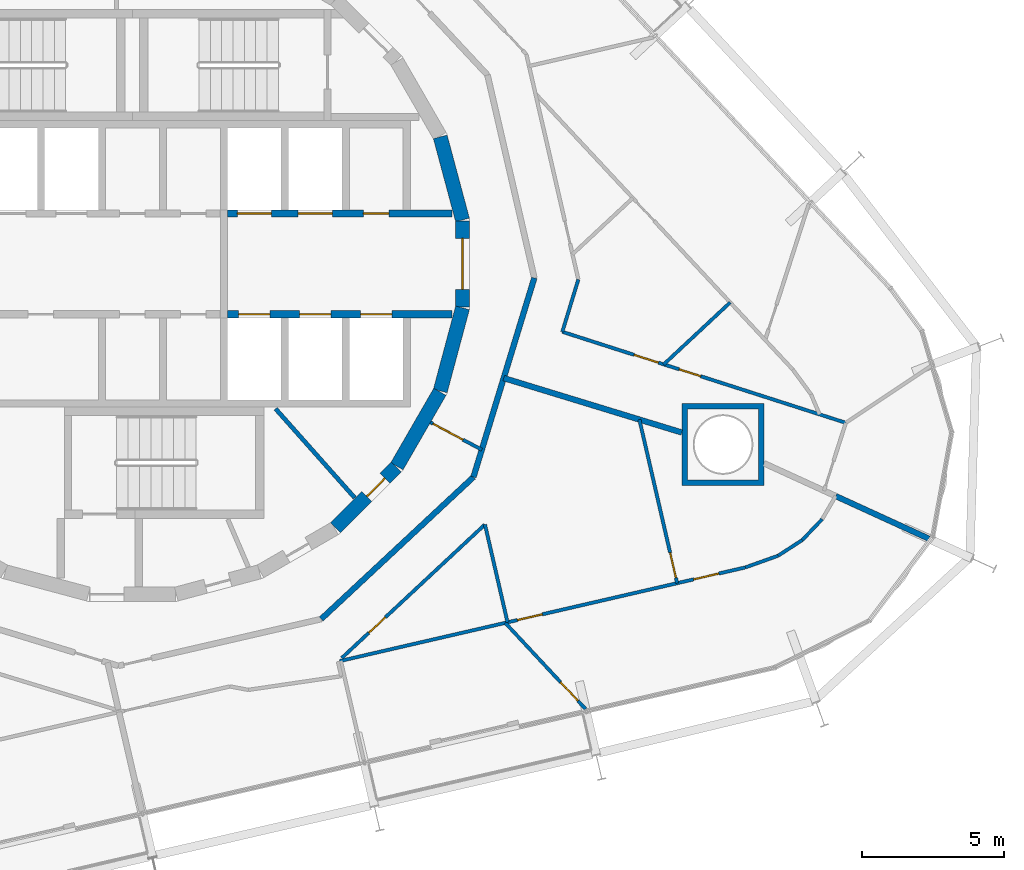
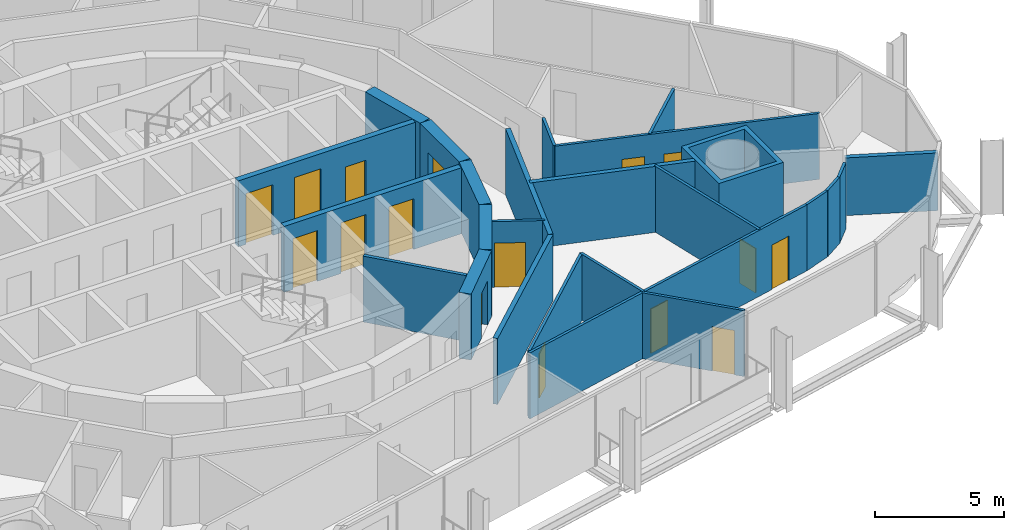
# One storey, part 14 of 18: 25 walls, 16 doors, 16 openings.
"""IFC4 building model written with IfcOpenShell, lengths in metres."""

from ifc_helpers import new_model, si_unit, direction, frame, frame_2d, origin, place, context, subcontext, project, spatial, polyline, rectangle, outline, extrude, material, layer, layer_set, type_object, element, fill, save


model = new_model("IFC4")

# Units and contexts
model_context = context("Model", 3, precision=1e-05, world=origin(), true_north=direction((0.0, 1.0)))
body_context = subcontext(model_context, "Body", "Model", "MODEL_VIEW")
ifc_project = project(units=[si_unit("LENGTHUNIT", "METRE"), si_unit("AREAUNIT", "SQUARE_METRE"), si_unit("VOLUMEUNIT", "CUBIC_METRE"), si_unit("PLANEANGLEUNIT", "RADIAN"), si_unit("MASSUNIT", "GRAM", prefix="KILO")], contexts=[model_context])

# Site, building, storey
site_placement = place(None, origin())
site = spatial("IfcSite", under=ifc_project, at=site_placement, CompositionType="ELEMENT")
building_placement = place(site_placement, origin())
building = spatial("IfcBuilding", under=site, at=building_placement, Name="Spindle Arch Residences", CompositionType="ELEMENT")
storey_placement = place(building_placement, frame((0.0, 0.0, 120.39990234375)))
storey = spatial("IfcBuildingStorey", under=building, at=storey_placement, Name="L29", CompositionType="ELEMENT", Elevation=120.39990234375)

# Wall, opening, door
ifc_material_1 = material(Name="Concrete C50/60", Category="concrete")
ifc_layer_1 = layer(ifc_material_1, 0.5)
ifc_layer_set_1 = layer_set([ifc_layer_1], Name="Core outline wall 500")
wall_type_1 = type_object("IfcWallType", Name="Core outline wall 500", PredefinedType="SHEAR", material=ifc_layer_set_1)
wall_1_placement = place(storey_placement, frame((7.163818359375, -9.30810546875, 0.0), z_axis=(0.0, 0.0, 1.0), x_axis=(0.707106781187, 0.707106781187, 0.0)))
wall_1 = element("IfcWall", 1, at=wall_1_placement, inside=storey, type_object=wall_type_1, Name="Core outline wall 3", PredefinedType="SHEAR", context=body_context, shape_type="SweptSolid", body=[
    extrude(rectangle(XDim=3.032470703125, YDim=0.5, at=frame_2d((1.51611328125, 0.0))), origin(), (0.0, 0.0, 1.0), 3.1201171875),
])
opening_1_placement = place(wall_1_placement, frame((1.56640625, 0.0, 0.0)))
opening_1 = element("IfcOpeningElement", 2, at=opening_1_placement, cuts=wall_1, Name="Opening R3A0-WD08", PredefinedType="OPENING", context=body_context, shape_type="SweptSolid", body=[
    extrude(rectangle(XDim=0.89990234375, YDim=2.10009765625, at=frame_2d((0.449951171875, 1.050048828125))), frame((0.0, 0.260009765625, 0.0), z_axis=(0.0, -1.0, 0.0), x_axis=(1.0, 0.0, 0.0)), (0.0, 0.0, 1.0), 0.52001953125),
])
ifc_material_2 = material(Name="Steel, fire-resisting door", Category="steel")
door_type_1 = type_object("IfcDoorType", Name="Service room door 900x2100", OperationType="SINGLE_SWING_LEFT", PredefinedType="DOOR", material=ifc_material_2)
door_1_placement = place(opening_1_placement, origin())
door_1 = element("IfcDoor", 3, at=door_1_placement, inside=storey, type_object=door_type_1, Name="Service room door R3A0-WD08", OperationType="SINGLE_SWING_LEFT", OverallHeight=2.10009765625, OverallWidth=0.89990234375, PredefinedType="DOOR", context=body_context, shape_type="SweptSolid", body=[
    extrude(rectangle(XDim=0.89990234375, YDim=2.10009765625, at=frame_2d((0.449951171875, 1.050048828125))), frame((0.0, 0.02490234375, 0.0), z_axis=(0.0, -1.0, 0.0), x_axis=(1.0, 0.0, 0.0)), (0.0, 0.0, 1.0), 0.050048828125),
])
fill(opening_1, door_1)

# Walls
for number, where, z_axis, x_axis, name in (
    (4, (9.32861328125, -7.13671875, 0.0), (0.0, 0.0, 1.0), (0.500087131594, 0.865975092491, 0.0), "Core outline wall 4"),
    (5, (10.858154296875, -4.479248046875, 0.0), (0.0, 0.0, 1.0), (0.258734743916, 0.965948410781, 0.0), "Core outline wall 5"),
):
    element("IfcWall", number, at=place(storey_placement, frame(where, z_axis=z_axis, x_axis=x_axis)), inside=storey, type_object=wall_type_1, Name=name, PredefinedType="SHEAR", context=body_context, shape_type="SweptSolid", body=[
        extrude(rectangle(XDim=3.03271484375, YDim=0.5, at=frame_2d((1.516357421875, 0.0))), origin(), (0.0, 0.0, 1.0), 3.1201171875),
    ])

# Wall, opening, door
wall_2_placement = place(storey_placement, frame((11.647216796875, -1.516357421875, 0.0), z_axis=(0.0, 0.0, 1.0), x_axis=(0.0, 1.0, 0.0)))
wall_2 = element("IfcWall", 6, at=wall_2_placement, inside=storey, type_object=wall_type_1, Name="Core outline wall 6", PredefinedType="SHEAR", context=body_context, shape_type="SweptSolid", body=[
    extrude(rectangle(XDim=3.03271484375, YDim=0.5, at=frame_2d((1.516357421875, 0.0))), origin(), (0.0, 0.0, 1.0), 3.1201171875),
])
opening_2_placement = place(wall_2_placement, frame((0.6162109375, 0.0, 0.0)))
opening_2 = element("IfcOpeningElement", 7, at=opening_2_placement, cuts=wall_2, Name="Opening R3A0-FE01", PredefinedType="OPENING", context=body_context, shape_type="SweptSolid", body=[
    extrude(rectangle(XDim=1.800048828125, YDim=2.10009765625, at=frame_2d((0.89990234375, 1.050048828125))), frame((0.0, 0.260009765625, 0.0), z_axis=(0.0, -1.0, 0.0), x_axis=(1.0, 0.0, 0.0)), (0.0, 0.0, 1.0), 0.52001953125),
])
ifc_material_3 = material(Name="Steel, fire-resisting door", Category="steel")
door_type_2 = type_object("IfcDoorType", Name="Fire-lift lobby door 1800x2100", OperationType="DOUBLE_DOOR_SINGLE_SWING", PredefinedType="DOOR", material=ifc_material_3)
door_2_placement = place(opening_2_placement, origin())
door_2 = element("IfcDoor", 8, at=door_2_placement, inside=storey, type_object=door_type_2, Name="Fire-lift lobby door R3A0-FE01", OperationType="DOUBLE_DOOR_SINGLE_SWING", OverallHeight=2.10009765625, OverallWidth=1.800048828125, PredefinedType="DOOR", context=body_context, shape_type="SweptSolid", body=[
    extrude(rectangle(XDim=1.800048828125, YDim=2.10009765625, at=frame_2d((0.89990234375, 1.050048828125))), frame((0.0, 0.02490234375, 0.0), z_axis=(0.0, -1.0, 0.0), x_axis=(1.0, 0.0, 0.0)), (0.0, 0.0, 1.0), 0.050048828125),
])
fill(opening_2, door_2)

# Wall
wall_3_placement = place(storey_placement, frame((11.642822265625, 1.5498046875, 0.0), z_axis=(0.0, 0.0, 1.0), x_axis=(-0.258734743916, 0.965948410781, 0.0)))
element("IfcWall", 9, at=wall_3_placement, inside=storey, type_object=wall_type_1, Name="Core outline wall 7", PredefinedType="SHEAR", context=body_context, shape_type="SweptSolid", body=[
    extrude(rectangle(XDim=3.03271484375, YDim=0.5, at=frame_2d((1.516357421875, 0.0))), origin(), (0.0, 0.0, 1.0), 3.1201171875),
])

# Wall, opening, door
ifc_material_4 = material(Name="Plasterboard on steel studs", Category="steel")
ifc_layer_2 = layer(ifc_material_4, 0.1201171875)
ifc_layer_set_2 = layer_set([ifc_layer_2], Name="Corridor division wall 120")
wall_type_2 = type_object("IfcWallType", Name="Corridor division wall 120", PredefinedType="PARTITIONING", material=ifc_layer_set_2)
wall_4_placement = place(storey_placement, frame((10.510986328125, -5.5888671875, 0.0), z_axis=(0.0, 0.0, 1.0), x_axis=(0.882987820808, -0.469395897196, 0.0)))
wall_4 = element("IfcWall", 10, at=wall_4_placement, inside=storey, type_object=wall_type_2, Name="Corridor division wall R3A0-W002", PredefinedType="PARTITIONING", context=body_context, shape_type="SweptSolid", body=[
    extrude(rectangle(XDim=2.0517578125, YDim=0.1201171875, at=frame_2d((1.02587890625, 0.0))), origin(), (0.0, 0.0, 1.0), 3.1201171875),
])
opening_3_placement = place(wall_4_placement, frame((0.10009765625, 0.0, 0.0)))
opening_3 = element("IfcOpeningElement", 11, at=opening_3_placement, cuts=wall_4, Name="Opening R3A0-CD02", PredefinedType="OPENING", context=body_context, shape_type="SweptSolid", body=[
    extrude(rectangle(XDim=1.199951171875, YDim=2.10009765625, at=frame_2d((0.60009765625, 1.050048828125))), frame((0.0, 0.070068359375, 0.0), z_axis=(0.0, -1.0, 0.0), x_axis=(1.0, 0.0, 0.0)), (0.0, 0.0, 1.0), 0.14013671875),
])
ifc_material_5 = material(Name="Steel, fire-resisting door", Category="steel")
door_type_3 = type_object("IfcDoorType", Name="Corridor division door 1200x2100", OperationType="NOTDEFINED", PredefinedType="DOOR", material=ifc_material_5)
door_3_placement = place(opening_3_placement, origin())
door_3 = element("IfcDoor", 12, at=door_3_placement, inside=storey, type_object=door_type_3, Name="Corridor division door R3A0-CD02", OperationType="DOUBLE_DOOR_SINGLE_SWING", OverallHeight=2.10009765625, OverallWidth=1.199951171875, PredefinedType="DOOR", context=body_context, shape_type="SweptSolid", body=[
    extrude(rectangle(XDim=1.199951171875, YDim=2.10009765625, at=frame_2d((0.60009765625, 1.050048828125))), frame((0.0, 0.02490234375, 0.0), z_axis=(0.0, -1.0, 0.0), x_axis=(1.0, 0.0, 0.0)), (0.0, 0.0, 1.0), 0.050048828125),
])
fill(opening_3, door_3)

# Walls
ifc_material_6 = material(Name="Calcium silicate block, plastered")
ifc_layer_3 = layer(ifc_material_6, 0.199951171875)
ifc_layer_set_3 = layer_set([ifc_layer_3], Name="Corridor wall 200")
wall_type_3 = type_object("IfcWallType", Name="Corridor wall 200", PredefinedType="STANDARD", material=ifc_layer_set_3)
for number, where, z_axis, x_axis, name in (
    (13, (12.028076171875, -7.51611328125, 0.0), (0.0, 0.0, 1.0), (0.292365533182, 0.956306642771, 0.0), "Corridor wall R3A0-W004"),
    (14, (6.65869140625, -12.523193359375, 0.0), (0.0, 0.0, 1.0), (0.731350455479, 0.682001841105, 0.0), "Corridor wall R3A0-W015"),
):
    element("IfcWall", number, at=place(storey_placement, frame(where, z_axis=z_axis, x_axis=x_axis)), inside=storey, type_object=wall_type_3, Name=name, PredefinedType="STANDARD", context=body_context, shape_type="SweptSolid", body=[
        extrude(rectangle(XDim=7.341796875, YDim=0.199951171875, at=frame_2d((3.6708984375, 0.0))), origin(), (0.0, 0.0, 1.0), 3.1201171875),
    ])

# Wall, openings, doors
ifc_material_7 = material(Name="Concrete C40/50", Category="concrete")
ifc_layer_4 = layer(ifc_material_7, 0.25)
ifc_layer_set_4 = layer_set([ifc_layer_4], Name="Fire-lift lobby wall 250")
wall_type_4 = type_object("IfcWallType", Name="Fire-lift lobby wall 250", PredefinedType="SHEAR", material=ifc_layer_set_4)
wall_5_placement = place(storey_placement, frame((3.35009765625, 1.77490234375, 0.0), z_axis=(0.0, 0.0, 1.0), x_axis=(1.0, 0.0, 0.0)))
wall_5 = element("IfcWall", 15, at=wall_5_placement, inside=storey, type_object=wall_type_4, Name="Lift shaft front wall NE", PredefinedType="SHEAR", context=body_context, shape_type="SweptSolid", body=[
    extrude(rectangle(XDim=7.929931640625, YDim=0.25, at=frame_2d((3.96484375, 0.0))), origin(), (0.0, 0.0, 1.0), 3.1201171875),
])
opening_4_placement = place(wall_5_placement, frame((0.35009765625, 0.0, 0.0)))
opening_4 = element("IfcOpeningElement", 16, at=opening_4_placement, cuts=wall_5, Name="Opening R3A0-SLD01", PredefinedType="OPENING", context=body_context, shape_type="SweptSolid", body=[
    extrude(rectangle(XDim=1.199951171875, YDim=2.39990234375, at=frame_2d((0.60009765625, 1.199951171875))), frame((0.0, 0.135009765625, 0.0), z_axis=(0.0, -1.0, 0.0), x_axis=(1.0, 0.0, 0.0)), (0.0, 0.0, 1.0), 0.27001953125),
])
opening_5_placement = place(wall_5_placement, frame((2.5, 0.0, 0.0)))
opening_5 = element("IfcOpeningElement", 17, at=opening_5_placement, cuts=wall_5, Name="Opening R3A0-SLD02", PredefinedType="OPENING", context=body_context, shape_type="SweptSolid", body=[
    extrude(rectangle(XDim=1.199951171875, YDim=2.39990234375, at=frame_2d((0.60009765625, 1.199951171875))), frame((0.0, 0.135009765625, 0.0), z_axis=(0.0, -1.0, 0.0), x_axis=(1.0, 0.0, 0.0)), (0.0, 0.0, 1.0), 0.27001953125),
])
opening_6_placement = place(wall_5_placement, frame((4.800048828125, 0.0, 0.0)))
opening_6 = element("IfcOpeningElement", 18, at=opening_6_placement, cuts=wall_5, Name="Opening R3A0-WD03", PredefinedType="OPENING", context=body_context, shape_type="SweptSolid", body=[
    extrude(rectangle(XDim=0.89990234375, YDim=2.10009765625, at=frame_2d((0.449951171875, 1.050048828125))), frame((0.0, 0.135009765625, 0.0), z_axis=(0.0, -1.0, 0.0), x_axis=(1.0, 0.0, 0.0)), (0.0, 0.0, 1.0), 0.27001953125),
])
ifc_material_8 = material(Name="Steel, fire-resisting landing door", Category="steel")
door_type_4 = type_object("IfcDoorType", Name="Service lift landing door 1200x2400", OperationType="DOUBLE_DOOR_SLIDING", PredefinedType="DOOR", material=ifc_material_8)
door_4_placement = place(opening_4_placement, origin())
door_4 = element("IfcDoor", 19, at=door_4_placement, inside=storey, type_object=door_type_4, Name="Service lift landing door R3A0-SLD01", OperationType="DOUBLE_DOOR_SLIDING", OverallHeight=2.39990234375, OverallWidth=1.199951171875, PredefinedType="DOOR", context=body_context, shape_type="SweptSolid", body=[
    extrude(rectangle(XDim=1.199951171875, YDim=2.39990234375, at=frame_2d((0.60009765625, 1.199951171875))), frame((0.0, 0.02490234375, 0.0), z_axis=(0.0, -1.0, 0.0), x_axis=(1.0, 0.0, 0.0)), (0.0, 0.0, 1.0), 0.050048828125),
])
fill(opening_4, door_4)
door_5_placement = place(opening_5_placement, origin())
door_5 = element("IfcDoor", 20, at=door_5_placement, inside=storey, type_object=door_type_4, Name="Service lift landing door R3A0-SLD02", OperationType="DOUBLE_DOOR_SLIDING", OverallHeight=2.39990234375, OverallWidth=1.199951171875, PredefinedType="DOOR", context=body_context, shape_type="SweptSolid", body=[
    extrude(rectangle(XDim=1.199951171875, YDim=2.39990234375, at=frame_2d((0.60009765625, 1.199951171875))), frame((0.0, 0.02490234375, 0.0), z_axis=(0.0, -1.0, 0.0), x_axis=(1.0, 0.0, 0.0)), (0.0, 0.0, 1.0), 0.050048828125),
])
fill(opening_5, door_5)
door_6_placement = place(opening_6_placement, origin())
door_6 = element("IfcDoor", 21, at=door_6_placement, inside=storey, type_object=door_type_1, Name="Service room door R3A0-WD03", OperationType="SINGLE_SWING_RIGHT", OverallHeight=2.10009765625, OverallWidth=0.89990234375, PredefinedType="DOOR", context=body_context, shape_type="SweptSolid", body=[
    extrude(rectangle(XDim=0.89990234375, YDim=2.10009765625, at=frame_2d((0.449951171875, 1.050048828125))), frame((0.0, 0.02490234375, 0.0), z_axis=(0.0, -1.0, 0.0), x_axis=(1.0, 0.0, 0.0)), (0.0, 0.0, 1.0), 0.050048828125),
])
fill(opening_6, door_6)

ifc_material_9 = material(Name="Concrete C50/60", Category="concrete")
ifc_layer_5 = layer(ifc_material_9, 0.25)
ifc_layer_set_5 = layer_set([ifc_layer_5], Name="Fire-lift shaft wall 250")
wall_type_5 = type_object("IfcWallType", Name="Fire-lift shaft wall 250", PredefinedType="SHEAR", material=ifc_layer_set_5)
wall_6_placement = place(storey_placement, frame((3.35009765625, -1.77490234375, 0.0), z_axis=(0.0, 0.0, 1.0), x_axis=(1.0, 0.0, 0.0)))
wall_6 = element("IfcWall", 22, at=wall_6_placement, inside=storey, type_object=wall_type_5, Name="Lift shaft front wall SE", PredefinedType="SHEAR", context=body_context, shape_type="SweptSolid", body=[
    extrude(rectangle(XDim=7.929931640625, YDim=0.25, at=frame_2d((3.96484375, 0.0))), origin(), (0.0, 0.0, 1.0), 3.1201171875),
])
opening_7_placement = place(wall_6_placement, frame((0.39990234375, 0.0, 0.0)))
opening_7 = element("IfcOpeningElement", 23, at=opening_7_placement, cuts=wall_6, Name="Opening R3A0-FLD01", PredefinedType="OPENING", context=body_context, shape_type="SweptSolid", body=[
    extrude(rectangle(XDim=1.10009765625, YDim=2.39990234375, at=frame_2d((0.550048828125, 1.199951171875))), frame((0.0, 0.135009765625, 0.0), z_axis=(0.0, -1.0, 0.0), x_axis=(1.0, 0.0, 0.0)), (0.0, 0.0, 1.0), 0.27001953125),
])
opening_8_placement = place(wall_6_placement, frame((2.550048828125, 0.0, 0.0)))
opening_8 = element("IfcOpeningElement", 24, at=opening_8_placement, cuts=wall_6, Name="Opening R3A0-FLD02", PredefinedType="OPENING", context=body_context, shape_type="SweptSolid", body=[
    extrude(rectangle(XDim=1.10009765625, YDim=2.39990234375, at=frame_2d((0.550048828125, 1.199951171875))), frame((0.0, 0.135009765625, 0.0), z_axis=(0.0, -1.0, 0.0), x_axis=(1.0, 0.0, 0.0)), (0.0, 0.0, 1.0), 0.27001953125),
])
opening_9_placement = place(wall_6_placement, frame((4.699951171875, 0.0, 0.0)))
opening_9 = element("IfcOpeningElement", 25, at=opening_9_placement, cuts=wall_6, Name="Opening R3A0-FLD03", PredefinedType="OPENING", context=body_context, shape_type="SweptSolid", body=[
    extrude(rectangle(XDim=1.10009765625, YDim=2.39990234375, at=frame_2d((0.550048828125, 1.199951171875))), frame((0.0, 0.135009765625, 0.0), z_axis=(0.0, -1.0, 0.0), x_axis=(1.0, 0.0, 0.0)), (0.0, 0.0, 1.0), 0.27001953125),
])
ifc_material_10 = material(Name="Steel, fire-resisting landing door", Category="steel")
door_type_5 = type_object("IfcDoorType", Name="Fire-fighting lift landing door 1100x2400", OperationType="DOUBLE_DOOR_SLIDING", PredefinedType="DOOR", material=ifc_material_10)
door_7_placement = place(opening_7_placement, origin())
door_7 = element("IfcDoor", 26, at=door_7_placement, inside=storey, type_object=door_type_5, Name="Fire-fighting lift landing door R3A0-FLD01", OperationType="DOUBLE_DOOR_SLIDING", OverallHeight=2.39990234375, OverallWidth=1.10009765625, PredefinedType="DOOR", context=body_context, shape_type="SweptSolid", body=[
    extrude(rectangle(XDim=1.10009765625, YDim=2.39990234375, at=frame_2d((0.550048828125, 1.199951171875))), frame((0.0, 0.02490234375, 0.0), z_axis=(0.0, -1.0, 0.0), x_axis=(1.0, 0.0, 0.0)), (0.0, 0.0, 1.0), 0.050048828125),
])
fill(opening_7, door_7)
door_8_placement = place(opening_8_placement, origin())
door_8 = element("IfcDoor", 27, at=door_8_placement, inside=storey, type_object=door_type_5, Name="Fire-fighting lift landing door R3A0-FLD02", OperationType="DOUBLE_DOOR_SLIDING", OverallHeight=2.39990234375, OverallWidth=1.10009765625, PredefinedType="DOOR", context=body_context, shape_type="SweptSolid", body=[
    extrude(rectangle(XDim=1.10009765625, YDim=2.39990234375, at=frame_2d((0.550048828125, 1.199951171875))), frame((0.0, 0.02490234375, 0.0), z_axis=(0.0, -1.0, 0.0), x_axis=(1.0, 0.0, 0.0)), (0.0, 0.0, 1.0), 0.050048828125),
])
fill(opening_8, door_8)
door_9_placement = place(opening_9_placement, origin())
door_9 = element("IfcDoor", 28, at=door_9_placement, inside=storey, type_object=door_type_5, Name="Fire-fighting lift landing door R3A0-FLD03", OperationType="DOUBLE_DOOR_SLIDING", OverallHeight=2.39990234375, OverallWidth=1.10009765625, PredefinedType="DOOR", context=body_context, shape_type="SweptSolid", body=[
    extrude(rectangle(XDim=1.10009765625, YDim=2.39990234375, at=frame_2d((0.550048828125, 1.199951171875))), frame((0.0, 0.02490234375, 0.0), z_axis=(0.0, -1.0, 0.0), x_axis=(1.0, 0.0, 0.0)), (0.0, 0.0, 1.0), 0.050048828125),
])
fill(opening_9, door_9)

ifc_material_11 = material(Name="Plasterboard on steel studs", Category="steel")
ifc_layer_6 = layer(ifc_material_11, 0.1201171875)
ifc_layer_set_6 = layer_set([ifc_layer_6], Name="Flat partition 120")
wall_type_6 = type_object("IfcWallType", Name="Flat partition 120", PredefinedType="PARTITIONING", material=ifc_layer_set_6)
wall_7_placement = place(storey_placement, frame((25.15771484375, -5.60302734375, 0.0), z_axis=(0.0, 0.0, 1.0), x_axis=(-0.952147783118, 0.305638019729, 0.0)))
wall_7 = element("IfcWall", 29, at=wall_7_placement, inside=storey, type_object=wall_type_6, Name="Flat partition R3A0-W033", PredefinedType="PARTITIONING", context=body_context, shape_type="SweptSolid", body=[
    extrude(rectangle(XDim=10.497802734375, YDim=0.1201171875, at=frame_2d((5.2490234375, 0.0))), origin(), (0.0, 0.0, 1.0), 3.1201171875),
])
opening_10_placement = place(wall_7_placement, frame((5.373046875, 0.0, 0.0)))
opening_10 = element("IfcOpeningElement", 30, at=opening_10_placement, cuts=wall_7, Name="Opening R3A0-BD02", PredefinedType="OPENING", context=body_context, shape_type="SweptSolid", body=[
    extrude(rectangle(XDim=0.800048828125, YDim=2.10009765625, at=frame_2d((0.39990234375, 1.050048828125))), frame((0.0, 0.070068359375, 0.0), z_axis=(0.0, -1.0, 0.0), x_axis=(1.0, 0.0, 0.0)), (0.0, 0.0, 1.0), 0.14013671875),
])
opening_11_placement = place(wall_7_placement, frame((6.941162109375, 0.0, 0.0)))
opening_11 = element("IfcOpeningElement", 31, at=opening_11_placement, cuts=wall_7, Name="Opening R3A0-ID03", PredefinedType="OPENING", context=body_context, shape_type="SweptSolid", body=[
    extrude(rectangle(XDim=0.89990234375, YDim=2.10009765625, at=frame_2d((0.449951171875, 1.050048828125))), frame((0.0, 0.070068359375, 0.0), z_axis=(0.0, -1.0, 0.0), x_axis=(1.0, 0.0, 0.0)), (0.0, 0.0, 1.0), 0.14013671875),
])
ifc_material_12 = material(Name="Timber door set", Category="wood")
door_type_6 = type_object("IfcDoorType", Name="Bathroom door 800x2100", OperationType="NOTDEFINED", PredefinedType="DOOR", material=ifc_material_12)
door_10_placement = place(opening_10_placement, origin())
door_10 = element("IfcDoor", 32, at=door_10_placement, inside=storey, type_object=door_type_6, Name="Bathroom door R3A0-BD02", OperationType="SINGLE_SWING_LEFT", OverallHeight=2.10009765625, OverallWidth=0.800048828125, PredefinedType="DOOR", context=body_context, shape_type="SweptSolid", body=[
    extrude(rectangle(XDim=0.800048828125, YDim=2.10009765625, at=frame_2d((0.39990234375, 1.050048828125))), frame((0.0, 0.02490234375, 0.0), z_axis=(0.0, -1.0, 0.0), x_axis=(1.0, 0.0, 0.0)), (0.0, 0.0, 1.0), 0.050048828125),
])
fill(opening_10, door_10)
ifc_material_13 = material(Name="Timber door set", Category="wood")
door_type_7 = type_object("IfcDoorType", Name="Room door 900x2100", OperationType="NOTDEFINED", PredefinedType="DOOR", material=ifc_material_13)
door_11_placement = place(opening_11_placement, origin())
door_11 = element("IfcDoor", 33, at=door_11_placement, inside=storey, type_object=door_type_7, Name="Room door R3A0-ID03", OperationType="SINGLE_SWING_LEFT", OverallHeight=2.10009765625, OverallWidth=0.89990234375, PredefinedType="DOOR", context=body_context, shape_type="SweptSolid", body=[
    extrude(rectangle(XDim=0.89990234375, YDim=2.10009765625, at=frame_2d((0.449951171875, 1.050048828125))), frame((0.0, 0.02490234375, 0.0), z_axis=(0.0, -1.0, 0.0), x_axis=(1.0, 0.0, 0.0)), (0.0, 0.0, 1.0), 0.050048828125),
])
fill(opening_11, door_11)

# Walls
wall_8_placement = place(storey_placement, frame((15.162353515625, -2.39453125, 0.0), z_axis=(0.0, 0.0, 1.0), x_axis=(0.292404972776, 0.956294584266, 0.0)))
element("IfcWall", 34, at=wall_8_placement, inside=storey, type_object=wall_type_6, Name="Flat partition R3A0-W034", PredefinedType="PARTITIONING", context=body_context, shape_type="SweptSolid", body=[
    extrude(rectangle(XDim=1.929443359375, YDim=0.1201171875, at=frame_2d((0.96484375, 0.0))), origin(), (0.0, 0.0, 1.0), 3.1201171875),
])
wall_9_placement = place(storey_placement, frame((21.080810546875, -1.35888671875, 0.0), z_axis=(0.0, 0.0, 1.0), x_axis=(-0.731341711004, -0.682011218196, 0.0)))
element("IfcWall", 35, at=wall_9_placement, inside=storey, type_object=wall_type_6, Name="Flat partition R3A0-W043", PredefinedType="PARTITIONING", context=body_context, shape_type="SweptSolid", body=[
    extrude(rectangle(XDim=3.2021484375, YDim=0.1201171875, at=frame_2d((1.60107421875, 0.0))), origin(), (0.0, 0.0, 1.0), 3.1201171875),
])

# Wall, opening, door
wall_10_placement = place(storey_placement, frame((7.3876953125, -13.894287109375, 0.0), z_axis=(0.0, 0.0, 1.0), x_axis=(0.731339966659, 0.682013088707, 0.0)))
wall_10 = element("IfcWall", 36, at=wall_10_placement, inside=storey, type_object=wall_type_6, Name="Flat partition R3A0-W106", PredefinedType="PARTITIONING", context=body_context, shape_type="SweptSolid", body=[
    extrude(rectangle(XDim=6.8994140625, YDim=0.1201171875, at=frame_2d((3.44970703125, 0.0))), origin(), (0.0, 0.0, 1.0), 3.1201171875),
])
opening_12_placement = place(wall_10_placement, frame((1.300048828125, 0.0, 0.0)))
opening_12 = element("IfcOpeningElement", 37, at=opening_12_placement, cuts=wall_10, Name="Opening R3A0-BD07", PredefinedType="OPENING", context=body_context, shape_type="SweptSolid", body=[
    extrude(rectangle(XDim=0.800048828125, YDim=2.10009765625, at=frame_2d((0.39990234375, 1.050048828125))), frame((0.0, 0.070068359375, 0.0), z_axis=(0.0, -1.0, 0.0), x_axis=(1.0, 0.0, 0.0)), (0.0, 0.0, 1.0), 0.14013671875),
])
door_12_placement = place(opening_12_placement, origin())
door_12 = element("IfcDoor", 38, at=door_12_placement, inside=storey, type_object=door_type_6, Name="Bathroom door R3A0-BD07", OperationType="SINGLE_SWING_RIGHT", OverallHeight=2.10009765625, OverallWidth=0.800048828125, PredefinedType="DOOR", context=body_context, shape_type="SweptSolid", body=[
    extrude(rectangle(XDim=0.800048828125, YDim=2.10009765625, at=frame_2d((0.39990234375, 1.050048828125))), frame((0.0, 0.02490234375, 0.0), z_axis=(0.0, -1.0, 0.0), x_axis=(1.0, 0.0, 0.0)), (0.0, 0.0, 1.0), 0.050048828125),
])
fill(opening_12, door_12)

# Wall
wall_11_placement = place(storey_placement, frame((12.43359375, -9.188720703125, 0.0), z_axis=(0.0, 0.0, 1.0), x_axis=(0.224924972887, -0.974376085796, 0.0)))
element("IfcWall", 39, at=wall_11_placement, inside=storey, type_object=wall_type_6, Name="Flat partition R3A0-W107", PredefinedType="PARTITIONING", context=body_context, shape_type="SweptSolid", body=[
    extrude(rectangle(XDim=3.540771484375, YDim=0.1201171875, at=frame_2d((1.7705078125, 0.0))), origin(), (0.0, 0.0, 1.0), 3.1201171875),
])

# Wall, openings, doors
wall_12_placement = place(storey_placement, frame((7.3125, -14.0048828125, 0.0), z_axis=(0.0, 0.0, 1.0), x_axis=(0.974367924791, 0.224960323474, 0.0)))
wall_12 = element("IfcWall", 40, at=wall_12_placement, inside=storey, type_object=wall_type_6, Name="Flat partition R3A0-W108", PredefinedType="PARTITIONING", context=body_context, shape_type="SweptSolid", body=[
    extrude(rectangle(XDim=14.67919921875, YDim=0.1201171875, at=frame_2d((7.339599609375, 0.0))), origin(), (0.0, 0.0, 1.0), 3.1201171875),
])
opening_13_placement = place(wall_12_placement, frame((6.433349609375, 0.0, 0.0)))
opening_13 = element("IfcOpeningElement", 41, at=opening_13_placement, cuts=wall_12, Name="Opening R3A0-ID28", PredefinedType="OPENING", context=body_context, shape_type="SweptSolid", body=[
    extrude(rectangle(XDim=0.89990234375, YDim=2.10009765625, at=frame_2d((0.449951171875, 1.050048828125))), frame((0.0, 0.070068359375, 0.0), z_axis=(0.0, -1.0, 0.0), x_axis=(1.0, 0.0, 0.0)), (0.0, 0.0, 1.0), 0.14013671875),
])
opening_14_placement = place(wall_12_placement, frame((12.811767578125, 0.0, 0.0)))
opening_14 = element("IfcOpeningElement", 42, at=opening_14_placement, cuts=wall_12, Name="Opening R3A0-ID31", PredefinedType="OPENING", context=body_context, shape_type="SweptSolid", body=[
    extrude(rectangle(XDim=0.89990234375, YDim=2.10009765625, at=frame_2d((0.449951171875, 1.050048828125))), frame((0.0, 0.070068359375, 0.0), z_axis=(0.0, -1.0, 0.0), x_axis=(1.0, 0.0, 0.0)), (0.0, 0.0, 1.0), 0.14013671875),
])
door_13_placement = place(opening_13_placement, origin())
door_13 = element("IfcDoor", 43, at=door_13_placement, inside=storey, type_object=door_type_7, Name="Room door R3A0-ID28", OperationType="SINGLE_SWING_RIGHT", OverallHeight=2.10009765625, OverallWidth=0.89990234375, PredefinedType="DOOR", context=body_context, shape_type="SweptSolid", body=[
    extrude(rectangle(XDim=0.89990234375, YDim=2.10009765625, at=frame_2d((0.449951171875, 1.050048828125))), frame((0.0, 0.02490234375, 0.0), z_axis=(0.0, -1.0, 0.0), x_axis=(1.0, 0.0, 0.0)), (0.0, 0.0, 1.0), 0.050048828125),
])
fill(opening_13, door_13)
door_14_placement = place(opening_14_placement, origin())
door_14 = element("IfcDoor", 44, at=door_14_placement, inside=storey, type_object=door_type_7, Name="Room door R3A0-ID31", OperationType="SINGLE_SWING_LEFT", OverallHeight=2.10009765625, OverallWidth=0.89990234375, PredefinedType="DOOR", context=body_context, shape_type="SweptSolid", body=[
    extrude(rectangle(XDim=0.89990234375, YDim=2.10009765625, at=frame_2d((0.449951171875, 1.050048828125))), frame((0.0, 0.02490234375, 0.0), z_axis=(0.0, -1.0, 0.0), x_axis=(1.0, 0.0, 0.0)), (0.0, 0.0, 1.0), 0.050048828125),
])
fill(opening_14, door_14)

# Wall, opening, door
wall_13_placement = place(storey_placement, frame((19.211181640625, -11.2578125, 0.0), z_axis=(0.0, 0.0, 1.0), x_axis=(-0.22499500936, 0.974359915926, 0.0)))
wall_13 = element("IfcWall", 45, at=wall_13_placement, inside=storey, type_object=wall_type_6, Name="Flat partition R3A0-W109", PredefinedType="PARTITIONING", context=body_context, shape_type="SweptSolid", body=[
    extrude(rectangle(XDim=5.92138671875, YDim=0.1201171875, at=frame_2d((2.960693359375, 0.0))), origin(), (0.0, 0.0, 1.0), 3.1201171875),
])
opening_15_placement = place(wall_13_placement, frame((0.199951171875, 0.0, 0.0)))
opening_15 = element("IfcOpeningElement", 46, at=opening_15_placement, cuts=wall_13, Name="Opening R3A0-ID29", PredefinedType="OPENING", context=body_context, shape_type="SweptSolid", body=[
    extrude(rectangle(XDim=0.89990234375, YDim=2.10009765625, at=frame_2d((0.449951171875, 1.050048828125))), frame((0.0, 0.070068359375, 0.0), z_axis=(0.0, -1.0, 0.0), x_axis=(1.0, 0.0, 0.0)), (0.0, 0.0, 1.0), 0.14013671875),
])
door_15_placement = place(opening_15_placement, origin())
door_15 = element("IfcDoor", 47, at=door_15_placement, inside=storey, type_object=door_type_7, Name="Room door R3A0-ID29", OperationType="SINGLE_SWING_RIGHT", OverallHeight=2.10009765625, OverallWidth=0.89990234375, PredefinedType="DOOR", context=body_context, shape_type="SweptSolid", body=[
    extrude(rectangle(XDim=0.89990234375, YDim=2.10009765625, at=frame_2d((0.449951171875, 1.050048828125))), frame((0.0, 0.02490234375, 0.0), z_axis=(0.0, -1.0, 0.0), x_axis=(1.0, 0.0, 0.0)), (0.0, 0.0, 1.0), 0.050048828125),
])
fill(opening_15, door_15)

wall_14_placement = place(storey_placement, frame((15.984619140625, -15.697509765625, 0.0), z_axis=(0.0, 0.0, 1.0), x_axis=(-0.681979185924, 0.731371581322, 0.0)))
wall_14 = element("IfcWall", 48, at=wall_14_placement, inside=storey, type_object=wall_type_6, Name="Flat partition R3A0-W111", PredefinedType="PARTITIONING", context=body_context, shape_type="SweptSolid", body=[
    extrude(rectangle(XDim=4.156982421875, YDim=0.1201171875, at=frame_2d((2.07861328125, 0.0))), origin(), (0.0, 0.0, 1.0), 3.1201171875),
])
opening_16_placement = place(wall_14_placement, frame((0.39990234375, 0.0, 0.0)))
opening_16 = element("IfcOpeningElement", 49, at=opening_16_placement, cuts=wall_14, Name="Opening R3A0-ID30", PredefinedType="OPENING", context=body_context, shape_type="SweptSolid", body=[
    extrude(rectangle(XDim=0.89990234375, YDim=2.10009765625, at=frame_2d((0.449951171875, 1.050048828125))), frame((0.0, 0.070068359375, 0.0), z_axis=(0.0, -1.0, 0.0), x_axis=(1.0, 0.0, 0.0)), (0.0, 0.0, 1.0), 0.14013671875),
])
door_16_placement = place(opening_16_placement, origin())
door_16 = element("IfcDoor", 50, at=door_16_placement, inside=storey, type_object=door_type_7, Name="Room door R3A0-ID30", OperationType="SINGLE_SWING_LEFT", OverallHeight=2.10009765625, OverallWidth=0.89990234375, PredefinedType="DOOR", context=body_context, shape_type="SweptSolid", body=[
    extrude(rectangle(XDim=0.89990234375, YDim=2.10009765625, at=frame_2d((0.449951171875, 1.050048828125))), frame((0.0, 0.02490234375, 0.0), z_axis=(0.0, -1.0, 0.0), x_axis=(1.0, 0.0, 0.0)), (0.0, 0.0, 1.0), 0.050048828125),
])
fill(opening_16, door_16)

# Walls
for number, where, z_axis, x_axis, name in (
    (51, (24.324462890625, -9.001708984375, 0.0), (0.0, 0.0, 1.0), (-0.690452883014, -0.723377367864, 0.0), "Flat partition R3A0-W113"),
    (52, (23.623046875, -9.736572265625, 0.0), (0.0, 0.0, 1.0), (-0.838718041084, -0.544565925816, 0.0), "Flat partition R3A0-W114"),
):
    element("IfcWall", number, at=place(storey_placement, frame(where, z_axis=z_axis, x_axis=x_axis)), inside=storey, type_object=wall_type_6, Name=name, PredefinedType="PARTITIONING", context=body_context, shape_type="SweptSolid", body=[
        extrude(rectangle(XDim=1.015869140625, YDim=0.1201171875, at=frame_2d((0.5078125, 0.0))), origin(), (0.0, 0.0, 1.0), 3.1201171875),
    ])
wall_15_placement = place(storey_placement, frame((22.77099609375, -10.289794921875, 0.0), z_axis=(0.0, 0.0, 1.0), x_axis=(-0.941701391526, -0.336449831623, 0.0)))
element("IfcWall", 53, at=wall_15_placement, inside=storey, type_object=wall_type_6, Name="Flat partition R3A0-W115", PredefinedType="PARTITIONING", context=body_context, shape_type="SweptSolid", body=[
    extrude(rectangle(XDim=1.22705078125, YDim=0.1201171875, at=frame_2d((0.613525390625, 0.0))), origin(), (0.0, 0.0, 1.0), 3.1201171875),
])
ifc_material_14 = material(Name="Calcium silicate block, plastered")
ifc_layer_7 = layer(ifc_material_14, 0.199951171875)
ifc_layer_set_7 = layer_set([ifc_layer_7], Name="Flat party wall 200")
wall_type_7 = type_object("IfcWallType", Name="Flat party wall 200", PredefinedType="STANDARD", material=ifc_layer_set_7)
wall_16_placement = place(storey_placement, frame((13.09521484375, -4.025634765625, 0.0), z_axis=(0.0, 0.0, 1.0), x_axis=(0.956303942966, -0.292374363904, 0.0)))
element("IfcWall", 54, at=wall_16_placement, inside=storey, type_object=wall_type_7, Name="Flat party wall R3A0-W017", PredefinedType="STANDARD", context=body_context, shape_type="SweptSolid", body=[
    extrude(rectangle(XDim=6.5673828125, YDim=0.199951171875, at=frame_2d((3.28369140625, 0.0))), origin(), (0.0, 0.0, 1.0), 3.1201171875),
])
ifc_material_15 = material(Name="Calcium silicate block, plastered")
ifc_layer_8 = layer(ifc_material_15, 0.199951171875)
ifc_layer_set_8 = layer_set([ifc_layer_8], Name="Flat party wall 200 under beam 2730")
wall_type_8 = type_object("IfcWallType", Name="Flat party wall 200 under beam 2730", PredefinedType="STANDARD", material=ifc_layer_set_8)
wall_17_placement = place(storey_placement, frame((24.8017578125, -8.18603515625, 0.0), z_axis=(0.0, 0.0, 1.0), x_axis=(0.909307466213, -0.416124899387, 0.0)))
element("IfcWall", 55, at=wall_17_placement, inside=storey, type_object=wall_type_8, Name="Flat party wall R3A0-W020", PredefinedType="STANDARD", context=body_context, shape_type="SweptSolid", body=[
    extrude(rectangle(XDim=3.6181640625, YDim=0.199951171875, at=frame_2d((1.80908203125, 0.0))), origin(), (0.0, 0.0, 1.0), 2.72998046875),
])
ifc_material_16 = material(Name="Calcium silicate block, plastered")
ifc_layer_9 = layer(ifc_material_16, 0.199951171875)
ifc_layer_set_9 = layer_set([ifc_layer_9], Name="Mega-column casing wall 200")
wall_type_9 = type_object("IfcWallType", Name="Mega-column casing wall 200", PredefinedType="STANDARD", material=ifc_layer_set_9)
wall_18_placement = place(storey_placement, origin())
element("IfcWall", 56, at=wall_18_placement, inside=storey, type_object=wall_type_9, Name="Mega-column casing wall R3A0-WC03", PredefinedType="STANDARD", context=body_context, shape_type="SweptSolid", body=[
    extrude(outline(polyline([(22.280029296875, -4.91845703125), (22.280029296875, -7.818359375), (19.3798828125, -7.818359375), (19.3798828125, -4.91845703125), (22.280029296875, -4.91845703125)]), holes=[polyline([(19.580078125, -7.618408203125), (22.080078125, -7.618408203125), (22.080078125, -5.118408203125), (19.580078125, -5.118408203125), (19.580078125, -7.618408203125)])]), origin(), (0.0, 0.0, 1.0), 3.1201171875),
])
ifc_material_17 = material(Name="Concrete C25/30", Category="concrete")
ifc_layer_10 = layer(ifc_material_17, 0.14990234375)
ifc_layer_set_10 = layer_set([ifc_layer_10], Name="Service room partition 150")
wall_type_10 = type_object("IfcWallType", Name="Service room partition 150", PredefinedType="PARTITIONING", material=ifc_layer_set_10)
wall_19_placement = place(storey_placement, frame((7.84228515625, -8.24755859375, 0.0), z_axis=(0.0, 0.0, 1.0), x_axis=(-0.66446128181, 0.747322691329, 0.0)))
element("IfcWall", 57, at=wall_19_placement, inside=storey, type_object=wall_type_10, Name="Core service room partition", PredefinedType="PARTITIONING", context=body_context, shape_type="SweptSolid", body=[
    extrude(rectangle(XDim=4.198486328125, YDim=0.14990234375, at=frame_2d((2.09912109375, 0.0))), origin(), (0.0, 0.0, 1.0), 3.1201171875),
])

save(model, "model.ifc")
